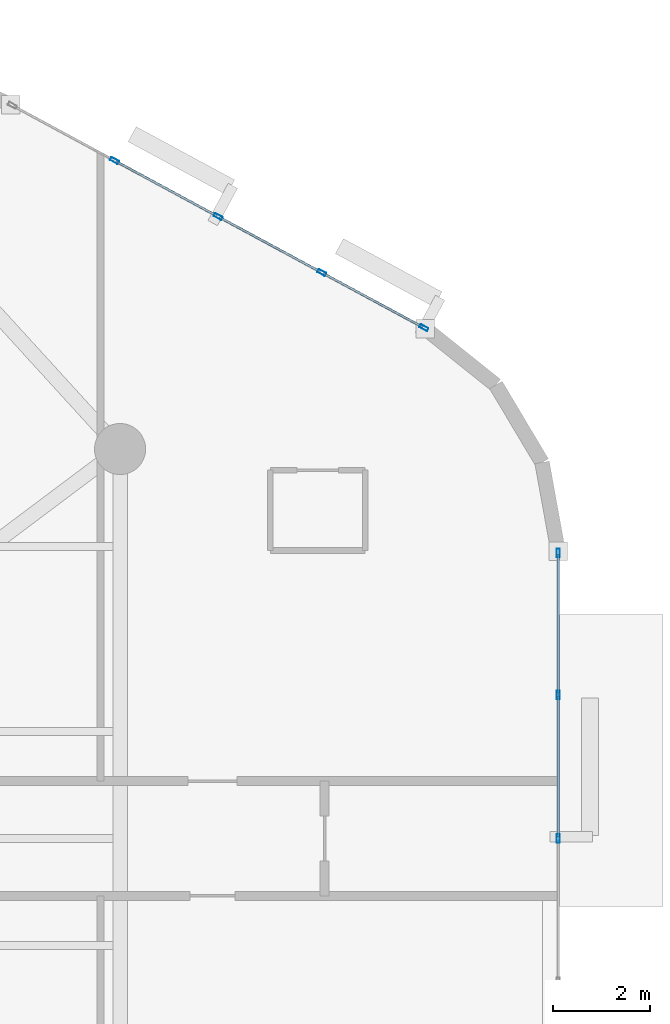
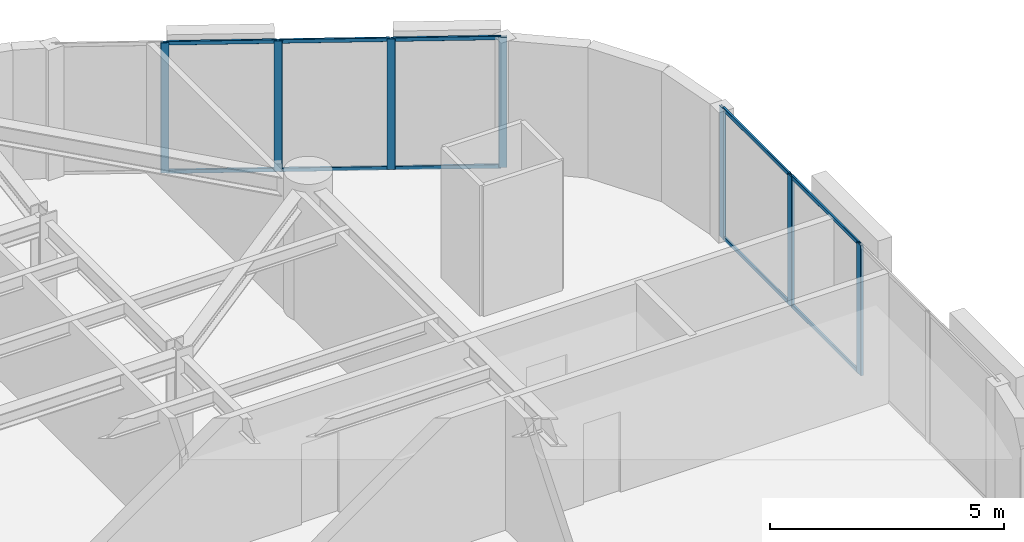
# One storey, part 6 of 13: 17 members, 2 elements without a shape of their own.
"""IFC4 building model written with IfcOpenShell, lengths in metres."""

from ifc_helpers import new_model, si_unit, direction, frame, origin, origin_2d, place, context, subcontext, project, spatial, hollow_rectangle, extrude, material, layer, layer_set, material_profile, profile_set, type_object, element, aggregate, save


model = new_model("IFC4")

# Units and contexts
model_context = context("Model", 3, precision=1e-05, world=origin(), true_north=direction((0.0, 1.0)))
body_context = subcontext(model_context, "Body", "Model", "MODEL_VIEW")
ifc_project = project(units=[si_unit("LENGTHUNIT", "METRE"), si_unit("AREAUNIT", "SQUARE_METRE"), si_unit("VOLUMEUNIT", "CUBIC_METRE"), si_unit("PLANEANGLEUNIT", "RADIAN"), si_unit("MASSUNIT", "GRAM", prefix="KILO")], contexts=[model_context])

# Site, building, storey
site_placement = place(None, origin())
site = spatial("IfcSite", under=ifc_project, at=site_placement, CompositionType="ELEMENT")
building_placement = place(site_placement, origin())
building = spatial("IfcBuilding", under=site, at=building_placement, Name="An Khanh Terracotta Commons", CompositionType="ELEMENT")
storey_placement = place(building_placement, frame((0.0, 0.0, 212.10009765625)))
storey = spatial("IfcBuildingStorey", under=building, at=storey_placement, Name="L55", CompositionType="ELEMENT", Elevation=212.10009765625)

# Curtain wall, members
ifc_material = material(Name="Anodised Aluminium 6063-T6", Category="aluminium")
ifc_layer = layer(ifc_material, 0.2099609375, Name="Anodised Aluminium 6063-T6")
ifc_layer_set = layer_set([ifc_layer], Name="Anodised Aluminium 6063-T6")
curtain_wall_type = type_object("IfcCurtainWallType", Name="CW-SYS-03", PredefinedType="USERDEFINED", material=ifc_layer_set)
curtain_wall_1_placement = place(storey_placement, origin())
curtain_wall_1 = element("IfcCurtainWall", 1, at=curtain_wall_1_placement, inside=storey, type_object=curtain_wall_type, Name="L55 CW-03 Unitised Curtain Wall CW-L55-12", ObjectType="UNITISED CURTAIN WALL", PredefinedType="USERDEFINED")
ifc_material_profile_1 = material_profile(ifc_material, hollow_rectangle(XDim=0.070068359375, YDim=0.179931640625, WallThickness=0.00390625, InnerFilletRadius=0.00390625, OuterFilletRadius=0.008056640625, at=origin_2d()), Name="RHS180x70x4")
ifc_profile_set_1 = profile_set([ifc_material_profile_1], Name="Anodised Aluminium 6063-T6")
member_type_1 = type_object("IfcMemberType", Name="CWM-RHS180x70x4", PredefinedType="MULLION", material=ifc_profile_set_1)
member_1_placement = place(storey_placement, frame((68.60009765625, 24.0, 0.0), z_axis=(0.0, 0.0, 1.0), x_axis=(-1.0, 0.0, 0.0)))
member_1 = element("IfcMember", 2, at=member_1_placement, type_object=member_type_1, Name="CW-03 mullion 3", PredefinedType="MULLION", context=body_context, shape_type="SweptSolid", body=[
    extrude(hollow_rectangle(XDim=0.070068359375, YDim=0.179931640625, WallThickness=0.00390625, InnerFilletRadius=0.00390625, OuterFilletRadius=0.008056640625, at=origin_2d()), origin(), (0.0, 0.0, 1.0), 3.39990234375),
])
member_2_placement = place(storey_placement, frame((68.60009765625, 26.949462890625, 0.0), z_axis=(0.0, 0.0, 1.0), x_axis=(-1.0, 0.0, 0.0)))
member_2 = element("IfcMember", 3, at=member_2_placement, type_object=member_type_1, Name="CW-03 mullion 4", PredefinedType="MULLION", context=body_context, shape_type="SweptSolid", body=[
    extrude(hollow_rectangle(XDim=0.070068359375, YDim=0.179931640625, WallThickness=0.00390625, InnerFilletRadius=0.00390625, OuterFilletRadius=0.008056640625, at=origin_2d()), origin(), (0.0, 0.0, 1.0), 3.39990234375),
])
member_3_placement = place(storey_placement, frame((68.60009765625, 29.864013671875, 0.0), z_axis=(0.0, 0.0, 1.0), x_axis=(-1.0, 0.0, 0.0)))
member_3 = element("IfcMember", 4, at=member_3_placement, type_object=member_type_1, Name="CW-03 mullion 5", PredefinedType="MULLION", context=body_context, shape_type="SweptSolid", body=[
    extrude(hollow_rectangle(XDim=0.070068359375, YDim=0.179931640625, WallThickness=0.00390625, InnerFilletRadius=0.00390625, OuterFilletRadius=0.008056640625, at=origin_2d()), origin(), (0.0, 0.0, 1.0), 3.39990234375),
])

curtain_wall_2_placement = place(storey_placement, origin())
curtain_wall_2 = element("IfcCurtainWall", 5, at=curtain_wall_2_placement, inside=storey, type_object=curtain_wall_type, Name="L55 CW-03 Unitised Curtain Wall CW-L55-16", ObjectType="UNITISED CURTAIN WALL", PredefinedType="USERDEFINED")
member_4_placement = place(storey_placement, frame((65.84130859375, 34.49072265625, 0.0), z_axis=(0.0, 0.0, 1.0), x_axis=(-0.47538088298, -0.879780095306, 0.0)))
member_4 = element("IfcMember", 6, at=member_4_placement, type_object=member_type_1, Name="CW-03 mullion 1", PredefinedType="MULLION", context=body_context, shape_type="SweptSolid", body=[
    extrude(hollow_rectangle(XDim=0.070068359375, YDim=0.179931640625, WallThickness=0.00390625, InnerFilletRadius=0.00390625, OuterFilletRadius=0.008056640625, at=origin_2d()), origin(), (0.0, 0.0, 1.0), 3.39990234375),
])
member_5_placement = place(storey_placement, frame((63.7431640625, 35.624267578125, 0.0), z_axis=(0.0, 0.0, 1.0), x_axis=(-0.47538088298, -0.879780095306, 0.0)))
member_5 = element("IfcMember", 7, at=member_5_placement, type_object=member_type_1, Name="CW-03 mullion 2", PredefinedType="MULLION", context=body_context, shape_type="SweptSolid", body=[
    extrude(hollow_rectangle(XDim=0.070068359375, YDim=0.179931640625, WallThickness=0.00390625, InnerFilletRadius=0.00390625, OuterFilletRadius=0.008056640625, at=origin_2d()), origin(), (0.0, 0.0, 1.0), 3.39990234375),
])
member_6_placement = place(storey_placement, frame((61.614501953125, 36.7744140625, 0.0), z_axis=(0.0, 0.0, 1.0), x_axis=(-0.47538088298, -0.879780095306, 0.0)))
member_6 = element("IfcMember", 8, at=member_6_placement, type_object=member_type_1, Name="CW-03 mullion 3", PredefinedType="MULLION", context=body_context, shape_type="SweptSolid", body=[
    extrude(hollow_rectangle(XDim=0.070068359375, YDim=0.179931640625, WallThickness=0.00390625, InnerFilletRadius=0.00390625, OuterFilletRadius=0.008056640625, at=origin_2d()), origin(), (0.0, 0.0, 1.0), 3.39990234375),
])
member_7_placement = place(storey_placement, frame((59.48583984375, 37.9248046875, 0.0), z_axis=(0.0, 0.0, 1.0), x_axis=(-0.47538088298, -0.879780095306, 0.0)))
member_7 = element("IfcMember", 9, at=member_7_placement, type_object=member_type_1, Name="CW-03 mullion 4", PredefinedType="MULLION", context=body_context, shape_type="SweptSolid", body=[
    extrude(hollow_rectangle(XDim=0.070068359375, YDim=0.179931640625, WallThickness=0.00390625, InnerFilletRadius=0.00390625, OuterFilletRadius=0.008056640625, at=origin_2d()), origin(), (0.0, 0.0, 1.0), 3.39990234375),
])

# Member
ifc_material_profile_2 = material_profile(ifc_material, hollow_rectangle(XDim=0.050048828125, YDim=0.10009765625, WallThickness=0.003173828125, InnerFilletRadius=0.003173828125, OuterFilletRadius=0.00634765625, at=origin_2d()), Name="RHS100x50x3.2")
ifc_profile_set_2 = profile_set([ifc_material_profile_2], Name="Anodised Aluminium 6063-T6")
member_type_2 = type_object("IfcMemberType", Name="CWT-RHS100x50x3.2", PredefinedType="USERDEFINED", material=ifc_profile_set_2)
member_8_placement = place(storey_placement, frame((68.60009765625, 24.034912109375, 0.02490234375), z_axis=(0.0, 1.0, 0.0), x_axis=(-1.0, 0.0, 0.0)))
member_8 = element("IfcMember", 10, at=member_8_placement, type_object=member_type_2, Name="CW-03 transom 3.1", ObjectType="TRANSOM", PredefinedType="USERDEFINED", context=body_context, shape_type="SweptSolid", body=[
    extrude(hollow_rectangle(XDim=0.050048828125, YDim=0.10009765625, WallThickness=0.003173828125, InnerFilletRadius=0.003173828125, OuterFilletRadius=0.00634765625, at=origin_2d()), origin(), (0.0, 0.0, 1.0), 2.879638671875),
])

member_9_placement = place(storey_placement, frame((68.60009765625, 24.034912109375, 3.375), z_axis=(0.0, 1.0, 0.0), x_axis=(-1.0, 0.0, 0.0)))
member_9 = element("IfcMember", 11, at=member_9_placement, type_object=member_type_2, Name="CW-03 transom 3.2", ObjectType="TRANSOM", PredefinedType="USERDEFINED", context=body_context, shape_type="SweptSolid", body=[
    extrude(hollow_rectangle(XDim=0.050048828125, YDim=0.10009765625, WallThickness=0.003173828125, InnerFilletRadius=0.003173828125, OuterFilletRadius=0.00634765625, at=origin_2d()), origin(), (0.0, 0.0, 1.0), 2.879638671875),
])

member_10_placement = place(storey_placement, frame((68.60009765625, 26.984619140625, 0.02490234375), z_axis=(0.0, 1.0, 0.0), x_axis=(-1.0, 0.0, 0.0)))
member_10 = element("IfcMember", 12, at=member_10_placement, type_object=member_type_2, Name="CW-03 transom 4.1", ObjectType="TRANSOM", PredefinedType="USERDEFINED", context=body_context, shape_type="SweptSolid", body=[
    extrude(hollow_rectangle(XDim=0.050048828125, YDim=0.10009765625, WallThickness=0.003173828125, InnerFilletRadius=0.003173828125, OuterFilletRadius=0.00634765625, at=origin_2d()), origin(), (0.0, 0.0, 1.0), 2.844482421875),
])

member_11_placement = place(storey_placement, frame((68.60009765625, 26.984619140625, 3.375), z_axis=(0.0, 1.0, 0.0), x_axis=(-1.0, 0.0, 0.0)))
member_11 = element("IfcMember", 13, at=member_11_placement, type_object=member_type_2, Name="CW-03 transom 4.2", ObjectType="TRANSOM", PredefinedType="USERDEFINED", context=body_context, shape_type="SweptSolid", body=[
    extrude(hollow_rectangle(XDim=0.050048828125, YDim=0.10009765625, WallThickness=0.003173828125, InnerFilletRadius=0.003173828125, OuterFilletRadius=0.00634765625, at=origin_2d()), origin(), (0.0, 0.0, 1.0), 2.844482421875),
])

aggregate(curtain_wall_1, [member_1, member_2, member_3, member_8, member_9, member_10, member_11])

member_12_placement = place(storey_placement, frame((65.810302734375, 34.50732421875, 0.02490234375), z_axis=(-0.879779245677, 0.475382455373, 0.0), x_axis=(-0.475382455373, -0.879779245677, 0.0)))
member_12 = element("IfcMember", 14, at=member_12_placement, type_object=member_type_2, Name="CW-03 transom 1.1", ObjectType="TRANSOM", PredefinedType="USERDEFINED", context=body_context, shape_type="SweptSolid", body=[
    extrude(hollow_rectangle(XDim=0.050048828125, YDim=0.10009765625, WallThickness=0.003173828125, InnerFilletRadius=0.003173828125, OuterFilletRadius=0.00634765625, at=origin_2d()), origin(), (0.0, 0.0, 1.0), 2.314697265625),
])

member_13_placement = place(storey_placement, frame((65.810302734375, 34.50732421875, 3.375), z_axis=(-0.879779245677, 0.475382455373, 0.0), x_axis=(-0.475382455373, -0.879779245677, 0.0)))
member_13 = element("IfcMember", 15, at=member_13_placement, type_object=member_type_2, Name="CW-03 transom 1.2", ObjectType="TRANSOM", PredefinedType="USERDEFINED", context=body_context, shape_type="SweptSolid", body=[
    extrude(hollow_rectangle(XDim=0.050048828125, YDim=0.10009765625, WallThickness=0.003173828125, InnerFilletRadius=0.003173828125, OuterFilletRadius=0.00634765625, at=origin_2d()), origin(), (0.0, 0.0, 1.0), 2.314697265625),
])

member_14_placement = place(storey_placement, frame((63.71240234375, 35.640869140625, 0.02490234375), z_axis=(-0.879782861449, 0.475375763686, 0.0), x_axis=(-0.475375763686, -0.879782861449, 0.0)))
member_14 = element("IfcMember", 16, at=member_14_placement, type_object=member_type_2, Name="CW-03 transom 2.1", ObjectType="TRANSOM", PredefinedType="USERDEFINED", context=body_context, shape_type="SweptSolid", body=[
    extrude(hollow_rectangle(XDim=0.050048828125, YDim=0.10009765625, WallThickness=0.003173828125, InnerFilletRadius=0.003173828125, OuterFilletRadius=0.00634765625, at=origin_2d()), origin(), (0.0, 0.0, 1.0), 2.349609375),
])

member_15_placement = place(storey_placement, frame((63.71240234375, 35.640869140625, 3.375), z_axis=(-0.879782861449, 0.475375763686, 0.0), x_axis=(-0.475375763686, -0.879782861449, 0.0)))
member_15 = element("IfcMember", 17, at=member_15_placement, type_object=member_type_2, Name="CW-03 transom 2.2", ObjectType="TRANSOM", PredefinedType="USERDEFINED", context=body_context, shape_type="SweptSolid", body=[
    extrude(hollow_rectangle(XDim=0.050048828125, YDim=0.10009765625, WallThickness=0.003173828125, InnerFilletRadius=0.003173828125, OuterFilletRadius=0.00634765625, at=origin_2d()), origin(), (0.0, 0.0, 1.0), 2.349609375),
])

member_16_placement = place(storey_placement, frame((61.583740234375, 36.791259765625, 0.02490234375), z_axis=(-0.879782861449, 0.475375763686, 0.0), x_axis=(-0.475375763686, -0.879782861449, 0.0)))
member_16 = element("IfcMember", 18, at=member_16_placement, type_object=member_type_2, Name="CW-03 transom 3.1", ObjectType="TRANSOM", PredefinedType="USERDEFINED", context=body_context, shape_type="SweptSolid", body=[
    extrude(hollow_rectangle(XDim=0.050048828125, YDim=0.10009765625, WallThickness=0.003173828125, InnerFilletRadius=0.003173828125, OuterFilletRadius=0.00634765625, at=origin_2d()), origin(), (0.0, 0.0, 1.0), 2.349609375),
])

member_17_placement = place(storey_placement, frame((61.583740234375, 36.791259765625, 3.375), z_axis=(-0.879782861449, 0.475375763686, 0.0), x_axis=(-0.475375763686, -0.879782861449, 0.0)))
member_17 = element("IfcMember", 19, at=member_17_placement, type_object=member_type_2, Name="CW-03 transom 3.2", ObjectType="TRANSOM", PredefinedType="USERDEFINED", context=body_context, shape_type="SweptSolid", body=[
    extrude(hollow_rectangle(XDim=0.050048828125, YDim=0.10009765625, WallThickness=0.003173828125, InnerFilletRadius=0.003173828125, OuterFilletRadius=0.00634765625, at=origin_2d()), origin(), (0.0, 0.0, 1.0), 2.349609375),
])

aggregate(curtain_wall_2, [member_4, member_5, member_6, member_7, member_12, member_13, member_14, member_15, member_16, member_17])

save(model, "model.ifc")
